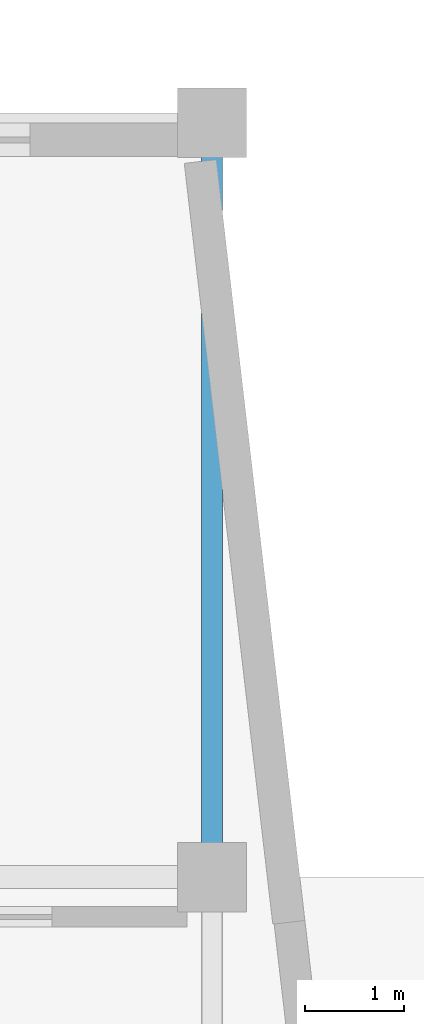
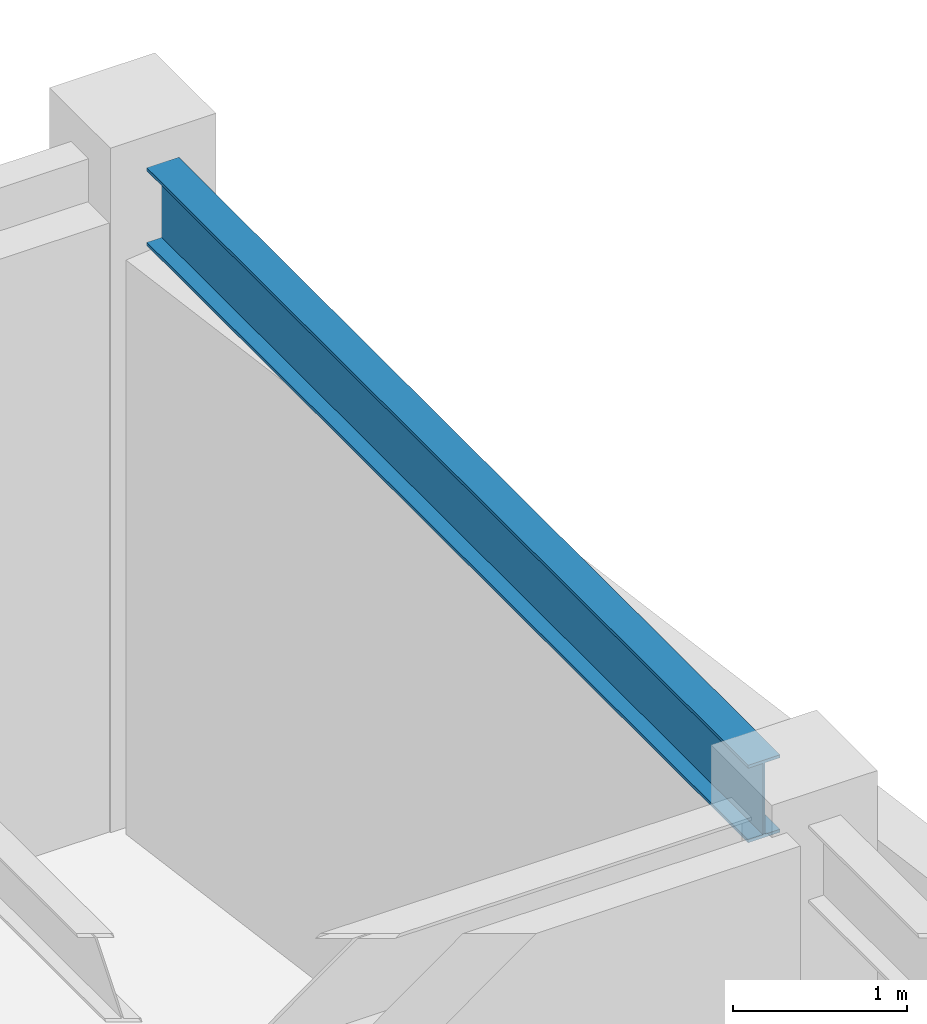
# One storey, part 13 of 72: 1 beam.
"""IFC4 building model written with IfcOpenShell, lengths in metres."""

from ifc_helpers import new_model, si_unit, direction, frame, origin, origin_2d, place, context, subcontext, project, spatial, i_section, extrude, material, material_profile, profile_set, type_object, element, save


model = new_model("IFC4")

# Units and contexts
model_context = context("Model", 3, precision=1e-05, world=origin(), true_north=direction((0.0, 1.0)))
body_context = subcontext(model_context, "Body", "Model", "MODEL_VIEW")
ifc_project = project(units=[si_unit("LENGTHUNIT", "METRE"), si_unit("AREAUNIT", "SQUARE_METRE"), si_unit("VOLUMEUNIT", "CUBIC_METRE"), si_unit("PLANEANGLEUNIT", "RADIAN"), si_unit("MASSUNIT", "GRAM", prefix="KILO")], contexts=[model_context])

# Site, building, storey
site_placement = place(None, origin())
site = spatial("IfcSite", under=ifc_project, at=site_placement, CompositionType="ELEMENT")
building_placement = place(site_placement, origin())
building = spatial("IfcBuilding", under=site, at=building_placement, Name="Xicomal Pleat Aquarium", CompositionType="ELEMENT")
storey_placement = place(building_placement, frame((0.0, 0.0, 10.5)))
storey = spatial("IfcBuildingStorey", under=building, at=storey_placement, Name="L03", CompositionType="ELEMENT", Elevation=10.5)

# Beam
ifc_material = material(Name="Structural steel A992 Gr 50", Category="steel")
ifc_material_profile = material_profile(ifc_material, i_section(OverallWidth=0.2119140625, OverallDepth=0.5439453125, WebThickness=0.01318359375, FlangeThickness=0.021240234375, at=origin_2d()), Name="IR 530x123")
ifc_profile_set = profile_set([ifc_material_profile], Name="Structural steel A992 Gr 50")
beam_type = type_object("IfcBeamType", Name="BM-STL-IR530", PredefinedType="BEAM", material=ifc_profile_set)
beam_placement = place(storey_placement, frame((35.39990234375, 30.7451171875, 4.302978515625), z_axis=(0.0, 1.0, 0.0), x_axis=(-1.0, 0.0, 0.0)))
element("IfcBeam", 1, at=beam_placement, inside=storey, type_object=beam_type, Name="L03 framing beam FGY-L03-05-E-F", PredefinedType="BEAM", context=body_context, shape_type="SweptSolid", body=[
    extrude(i_section(OverallWidth=0.2119140625, OverallDepth=0.5439453125, WebThickness=0.01318359375, FlangeThickness=0.021240234375, at=origin_2d()), origin(), (0.0, 0.0, 1.0), 6.909912109375),
])

save(model, "model.ifc")
